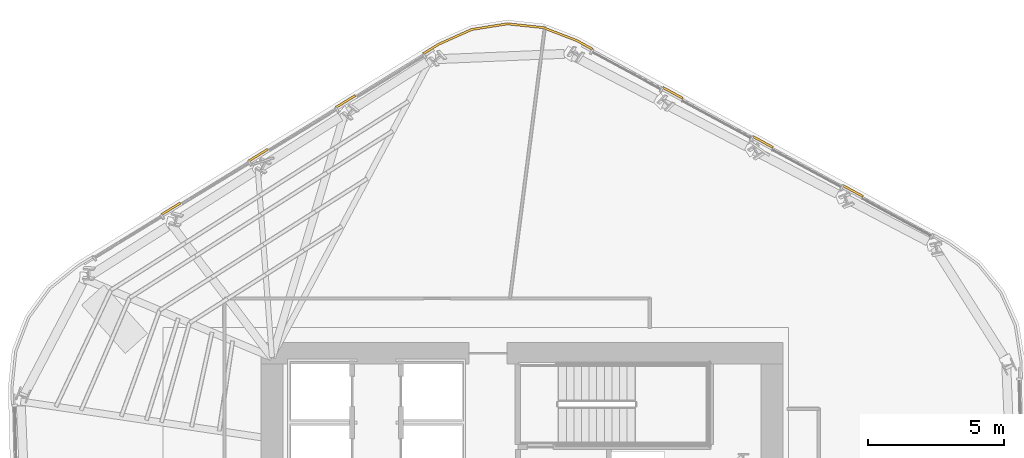
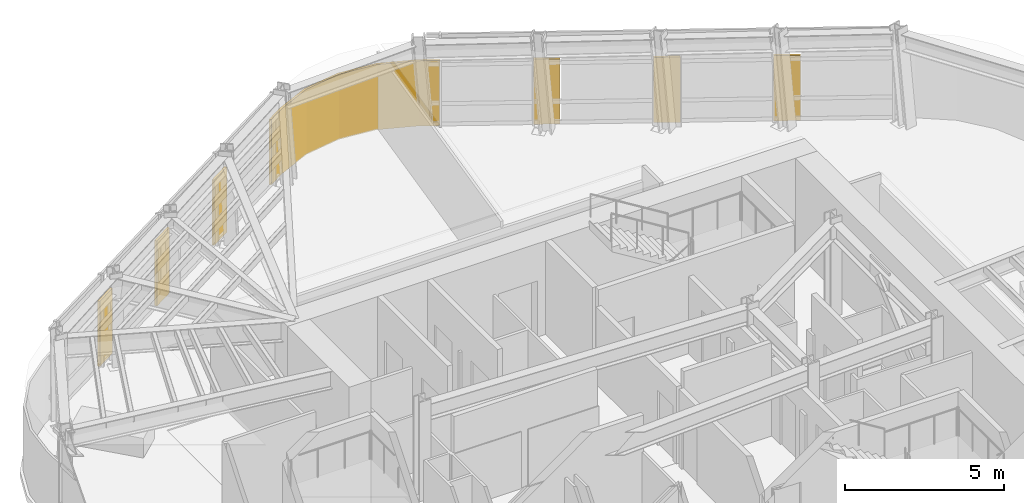
# One storey, part 14 of 15: 7 coverings.
"""IFC4 building model written with IfcOpenShell, lengths in metres."""

from ifc_helpers import new_model, si_unit, direction, frame, origin, place, context, subcontext, project, spatial, polyline, outline, extrude, material, layer, layer_set, type_object, element, save


model = new_model("IFC4")

# Units and contexts
model_context = context("Model", 3, precision=1e-05, world=origin(), true_north=direction((0.0, 1.0)))
body_context = subcontext(model_context, "Body", "Model", "MODEL_VIEW")
ifc_project = project(units=[si_unit("LENGTHUNIT", "METRE"), si_unit("AREAUNIT", "SQUARE_METRE"), si_unit("VOLUMEUNIT", "CUBIC_METRE"), si_unit("PLANEANGLEUNIT", "RADIAN"), si_unit("MASSUNIT", "GRAM", prefix="KILO")], contexts=[model_context])

# Site, building, storey
site_placement = place(None, origin())
site = spatial("IfcSite", under=ifc_project, at=site_placement, CompositionType="ELEMENT")
building_placement = place(site_placement, origin())
building = spatial("IfcBuilding", under=site, at=building_placement, Name="Valkerne Bourse Tower", CompositionType="ELEMENT")
storey_placement = place(building_placement, frame((0.0, 0.0, 159.0)))
storey = spatial("IfcBuildingStorey", under=building, at=storey_placement, Name="L40", CompositionType="ELEMENT", Elevation=159.0)

# Coverings
ifc_material = material(Name="Bronze Anodised Aluminium AA 6063-T6", Category="aluminium")
ifc_layer = layer(ifc_material, 0.06005859375)
ifc_layer_set = layer_set([ifc_layer], Name="Bronze Anodised Aluminium AA 6063-T6")
covering_type = type_object("IfcCoveringType", Name="COV-CRN-ALUM", PredefinedType="CLADDING", material=ifc_layer_set)
covering_1_placement = place(storey_placement, origin())
element("IfcCovering", 1, at=covering_1_placement, inside=storey, type_object=covering_type, Name="L40 Wind-Shaped Corner Aluminium Cladding 14", PredefinedType="CLADDING", context=body_context, shape_type="SweptSolid", body=[
    extrude(outline(polyline([(34.218017578125, 41.118408203125), (34.260009765625, 41.050048828125), (33.544189453125, 40.6103515625), (33.50244140625, 40.678466796875), (34.218017578125, 41.118408203125)])), origin(), (0.0, 0.0, 1.0), 2.5),
])
covering_2_placement = place(storey_placement, origin())
element("IfcCovering", 2, at=covering_2_placement, inside=storey, type_object=covering_type, Name="L40 Wind-Shaped Corner Aluminium Cladding 15", PredefinedType="CLADDING", context=body_context, shape_type="SweptSolid", body=[
    extrude(outline(polyline([(37.430908203125, 43.0927734375), (37.47265625, 43.024658203125), (36.757080078125, 42.584716796875), (36.715087890625, 42.653076171875), (37.430908203125, 43.0927734375)])), origin(), (0.0, 0.0, 1.0), 2.5),
])
covering_3_placement = place(storey_placement, origin())
element("IfcCovering", 3, at=covering_3_placement, inside=storey, type_object=covering_type, Name="L40 Wind-Shaped Corner Aluminium Cladding 16", PredefinedType="CLADDING", context=body_context, shape_type="SweptSolid", body=[
    extrude(outline(polyline([(40.643798828125, 45.0673828125), (40.685546875, 44.9990234375), (39.9697265625, 44.559326171875), (39.927978515625, 44.62744140625), (40.643798828125, 45.0673828125)])), origin(), (0.0, 0.0, 1.0), 2.5),
])
covering_4_placement = place(storey_placement, origin())
element("IfcCovering", 4, at=covering_4_placement, inside=storey, type_object=covering_type, Name="L40 Wind-Shaped Corner Aluminium Cladding 17", PredefinedType="CLADDING", context=body_context, shape_type="SweptSolid", body=[
    extrude(outline(polyline([(43.720947265625, 46.95849609375), (44.94287109375, 47.502685546875), (46.257568359375, 47.7109375), (47.58154296875, 47.57177734375), (48.830322265625, 47.09228515625), (49.428466796875, 46.7666015625), (49.39013671875, 46.6962890625), (48.796875, 47.01953125), (47.562744140625, 47.493408203125), (46.259765625, 47.630126953125), (44.9658203125, 47.42529296875), (43.75830078125, 46.8876953125), (43.1826171875, 46.53369140625), (43.140625, 46.60205078125), (43.720947265625, 46.95849609375)])), origin(), (0.0, 0.0, 1.0), 2.5),
])
covering_5_placement = place(storey_placement, origin())
element("IfcCovering", 5, at=covering_5_placement, inside=storey, type_object=covering_type, Name="L40 Wind-Shaped Corner Aluminium Cladding 18", PredefinedType="CLADDING", context=body_context, shape_type="SweptSolid", body=[
    extrude(outline(polyline([(52.739990234375, 44.963134765625), (52.701904296875, 44.892822265625), (51.964111328125, 45.29443359375), (52.00244140625, 45.36474609375), (52.739990234375, 44.963134765625)])), origin(), (0.0, 0.0, 1.0), 2.5),
])
covering_6_placement = place(storey_placement, origin())
element("IfcCovering", 6, at=covering_6_placement, inside=storey, type_object=covering_type, Name="L40 Wind-Shaped Corner Aluminium Cladding 19", PredefinedType="CLADDING", context=body_context, shape_type="SweptSolid", body=[
    extrude(outline(polyline([(56.0517578125, 43.159423828125), (56.013427734375, 43.089111328125), (55.27587890625, 43.490966796875), (55.31396484375, 43.561279296875), (56.0517578125, 43.159423828125)])), origin(), (0.0, 0.0, 1.0), 2.5),
])
covering_7_placement = place(storey_placement, origin())
element("IfcCovering", 7, at=covering_7_placement, inside=storey, type_object=covering_type, Name="L40 Wind-Shaped Corner Aluminium Cladding 20", PredefinedType="CLADDING", context=body_context, shape_type="SweptSolid", body=[
    extrude(outline(polyline([(59.36328125, 41.355712890625), (59.3251953125, 41.285400390625), (58.58740234375, 41.687255859375), (58.625732421875, 41.757568359375), (59.36328125, 41.355712890625)])), origin(), (0.0, 0.0, 1.0), 2.5),
])

save(model, "model.ifc")
